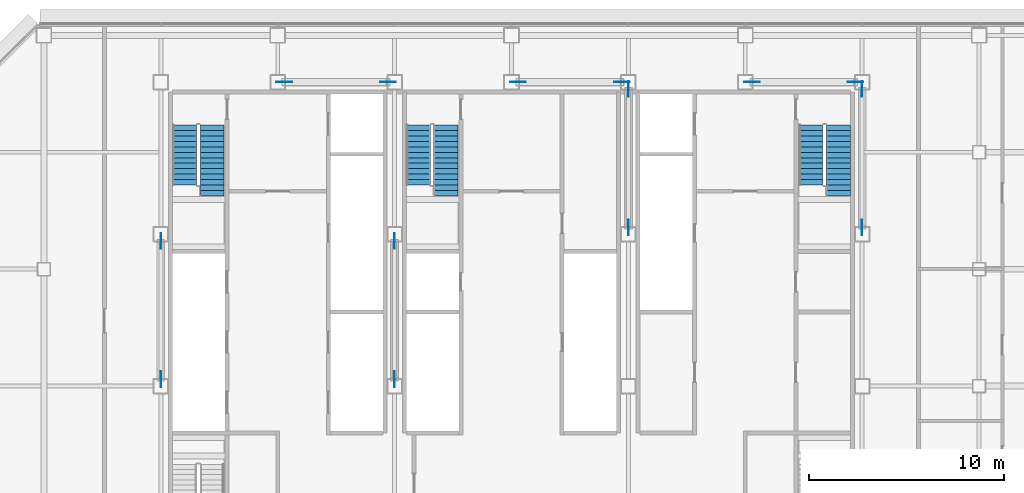
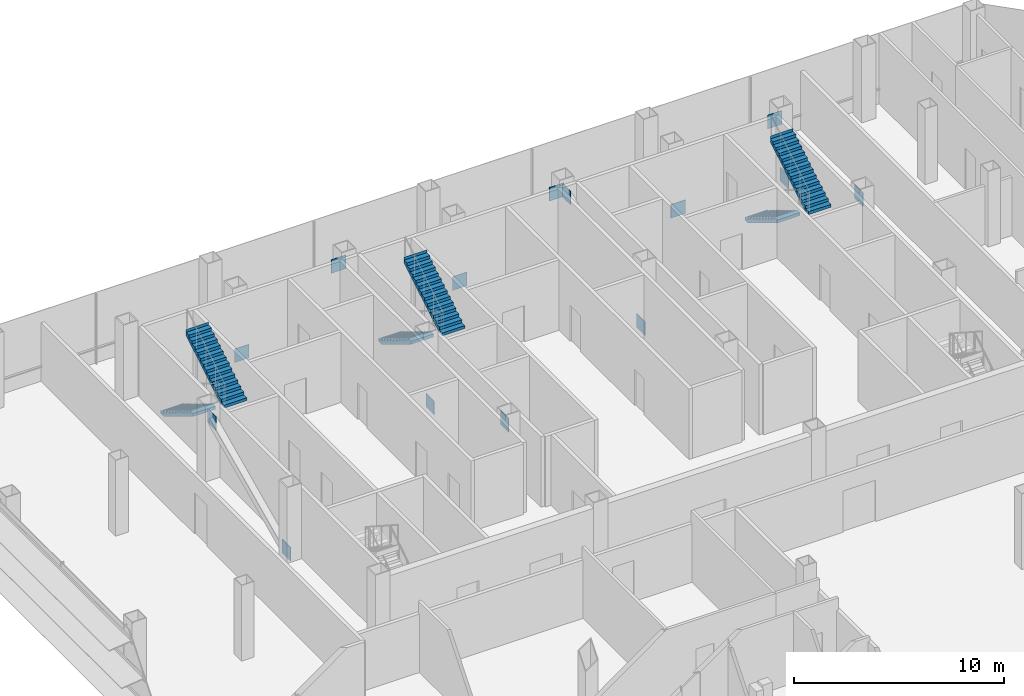
# One storey, part 23 of 28: 14 discrete accessories, 6 stair flights, 3 elements without a shape of their own.
"""IFC4 building model written with IfcOpenShell, lengths in metres."""

import ifcopenshell
import ifcopenshell.guid

model = None  # the IFC model being written
_history = None  # IfcOwnerHistory: only IFC2X3 demands one
_inside = {}  # id of a spatial element -> (the spatial element, [elements in it])
_under = {}  # id of a project, library or spatial element -> (it, [spatial elements below it])
_declared = {}  # id of a project -> (the project, [libraries it declares])
_typed = {}  # id of a type object -> (the type object, [elements of that type])
_made_of = {}  # id of a material, layer set ... -> (it, [elements and type objects made of it])


def new_model(schema):
    """Start an empty IFC model of exactly this schema.

    Asked for "IFC4X3", IfcOpenShell would pick the latest addendum, in which some entities
    have other attributes; the version numbers below select the first issue.
    IFC2X3 requires an IfcOwnerHistory on every rooted entity: one is made here for all.
    """
    global model, _history
    if schema == "IFC4X3":
        model = ifcopenshell.file(schema_version=(4, 3, 0, 0))
    else:
        model = ifcopenshell.file(schema=schema)
    _inside.clear()
    _under.clear()
    _declared.clear()
    _typed.clear()
    _made_of.clear()
    _history = None
    if model.schema == "IFC2X3":
        org = make("IfcOrganization", Name="unknown")
        user = make(
            "IfcPersonAndOrganization",
            ThePerson=make("IfcPerson", FamilyName="unknown"),
            TheOrganization=org,
        )
        app = make(
            "IfcApplication",
            ApplicationDeveloper=org,
            Version="unknown",
            ApplicationFullName="unknown",
            ApplicationIdentifier="unknown",
        )
        _history = make(
            "IfcOwnerHistory",
            OwningUser=user,
            OwningApplication=app,
            ChangeAction="ADDED",
            CreationDate=0,
        )
    return model


def make(cls, **values):
    """One entity of the class cls with the attributes given. An attribute that is None is left unset."""
    return model.create_entity(
        cls, **{name: value for name, value in values.items() if value is not None}
    )


def rooted(cls, **values):
    """An entity with a GlobalId (a new one), such as an element, a storey or a relation."""
    return make(cls, GlobalId=ifcopenshell.guid.new(), OwnerHistory=_history, **values)


def si_unit(unit_type, name, prefix=None):
    """IfcSIUnit, for example si_unit("LENGTHUNIT", "METRE", prefix="MILLI")."""
    return make("IfcSIUnit", UnitType=unit_type, Prefix=prefix, Name=name)


def assignment(units):
    """IfcUnitAssignment: the units of a project."""
    return None if units is None else make("IfcUnitAssignment", Units=units)


def point(xyz):
    """IfcCartesianPoint."""
    return None if xyz is None else make("IfcCartesianPoint", Coordinates=xyz)


def direction(xyz):
    """IfcDirection."""
    return None if xyz is None else make("IfcDirection", DirectionRatios=xyz)


def frame(location, z_axis=None, x_axis=None):
    """IfcAxis2Placement3D, a coordinate frame: its origin and axes. An axis left out is left unset."""
    return make(
        "IfcAxis2Placement3D",
        Location=point(location),
        Axis=direction(z_axis),
        RefDirection=direction(x_axis),
    )


def frame_2d(location, x_axis=None):
    """IfcAxis2Placement2D, a coordinate frame in the plane: its origin and x axis."""
    return make(
        "IfcAxis2Placement2D", Location=point(location), RefDirection=direction(x_axis)
    )


def origin():
    """The frame at (0, 0, 0) with its axes left unset."""
    return frame((0.0, 0.0, 0.0))


def origin_2d():
    """The frame at (0, 0) in the plane with its x axis left unset."""
    return frame_2d((0.0, 0.0))


def place(relative_to, where):
    """IfcLocalPlacement: puts the frame where relative to a parent placement (None: the world)."""
    return make(
        "IfcLocalPlacement", PlacementRelTo=relative_to, RelativePlacement=where
    )


def context(
    kind, dimensions, precision=None, world=None, true_north=None, identifier=None
):
    """IfcGeometricRepresentationContext, for example the 3D "Model" context."""
    return make(
        "IfcGeometricRepresentationContext",
        ContextIdentifier=identifier,
        ContextType=kind,
        CoordinateSpaceDimension=dimensions,
        Precision=precision,
        WorldCoordinateSystem=world,
        TrueNorth=true_north,
    )


def subcontext(parent, identifier, kind, view, scale=None):
    """IfcGeometricRepresentationSubContext, for example "Body" below "Model"."""
    return make(
        "IfcGeometricRepresentationSubContext",
        ContextIdentifier=identifier,
        ContextType=kind,
        ParentContext=parent,
        TargetScale=scale,
        TargetView=view,
    )


def project(units=None, contexts=None):
    """IfcProject with its units and contexts."""
    return rooted(
        "IfcProject",
        Name="project",
        RepresentationContexts=contexts,
        UnitsInContext=assignment(units),
    )


def spatial(cls, under=None, at=None, **own):
    """A site, building, storey or space (cls), placed at a placement, below another one or the project."""
    s = rooted(cls, ObjectPlacement=at, **own)
    if under is not None:
        _under.setdefault(under.id(), (under, []))[1].append(s)
    return s


def polyline(points):
    """IfcPolyline through the points."""
    return make("IfcPolyline", Points=[point(p) for p in points])


def profile(cls, at=None, kind="AREA", **sizes):
    """A parametric profile (cls). Its sizes go by their IFC names, for example OverallWidth=200.0."""
    return make(cls, ProfileType=kind, Position=at, **sizes)


def rectangle(**sizes):
    """IfcRectangleProfileDef."""
    return profile("IfcRectangleProfileDef", **sizes)


def outline(outer, holes=None, kind="AREA"):
    """IfcArbitraryClosedProfileDef: a profile drawn as a closed curve; with holes, ...WithVoids."""
    if holes is None:
        return make("IfcArbitraryClosedProfileDef", ProfileType=kind, OuterCurve=outer)
    return make(
        "IfcArbitraryProfileDefWithVoids",
        ProfileType=kind,
        OuterCurve=outer,
        InnerCurves=holes,
    )


def extrude(swept, where, along, depth):
    """IfcExtrudedAreaSolid: the profile swept, set in the frame where, extruded along a direction by depth."""
    return make(
        "IfcExtrudedAreaSolid",
        SweptArea=swept,
        Position=where,
        ExtrudedDirection=direction(along),
        Depth=depth,
    )


def shape(context_of_items, identifier, shape_type, items):
    """IfcShapeRepresentation: the items that make up one representation, for example the "Body"."""
    return make(
        "IfcShapeRepresentation",
        ContextOfItems=context_of_items,
        RepresentationIdentifier=identifier,
        RepresentationType=shape_type,
        Items=items,
    )


def material(Name=None, Category=None):
    """IfcMaterial."""
    return make("IfcMaterial", Name=Name, Category=Category)


def layer(
    of_material, thickness, ventilated=None, Name=None, Category=None, Priority=None
):
    """IfcMaterialLayer: one layer of a wall or slab, of a material (None: an air gap)."""
    return make(
        "IfcMaterialLayer",
        Material=of_material,
        LayerThickness=thickness,
        IsVentilated=ventilated,
        Name=Name,
        Category=Category,
        Priority=Priority,
    )


def layer_set(layers, Name=None):
    """IfcMaterialLayerSet."""
    return make("IfcMaterialLayerSet", MaterialLayers=layers, LayerSetName=Name)


def made_of(thing, what):
    """Note that an element or type object is made of a material, layer set ...; save() writes the relation."""
    if what is not None:
        _made_of.setdefault(what.id(), (what, []))[1].append(thing)
    return thing


def type_object(cls, material=None, **own):
    """A type object (cls), such as IfcWallType, which elements share."""
    return made_of(rooted(cls, **own), material)


def element(
    cls,
    number,
    at=None,
    inside=None,
    cuts=None,
    type_object=None,
    material=None,
    context=None,
    identifier="Body",
    shape_type=None,
    held_by="IfcProductDefinitionShape",
    body=None,
    shapes=None,
    **own,
):
    """One element of the class cls, such as IfcWall. Its Tag is "e" and its number.

    at: its placement. inside: the storey or other place that contains it. cuts: it is an
    opening in that element (IfcRelVoidsElement). A single representation is given by context,
    identifier, shape_type and body (its items); several are given by shapes. held_by: the class
    of the entity that holds the representations. save() writes the other relations.
    """
    e = rooted(cls, Tag="e%d" % number, ObjectPlacement=at, **own)
    if body is not None:
        shapes = [shape(context, identifier, shape_type, body)]
    if shapes is not None:
        e.Representation = make(held_by, Representations=shapes)
    if inside is not None:
        _inside.setdefault(inside.id(), (inside, []))[1].append(e)
    if cuts is not None:
        rooted(
            "IfcRelVoidsElement", RelatingBuildingElement=cuts, RelatedOpeningElement=e
        )
    if type_object is not None:
        _typed.setdefault(type_object.id(), (type_object, []))[1].append(e)
    return made_of(e, material)


def aggregate(whole, parts):
    """IfcRelAggregates: a whole, such as a stair, and the parts it consists of."""
    return rooted("IfcRelAggregates", RelatingObject=whole, RelatedObjects=parts)


def save(model, path):
    """Write the relations noted so far, then the file.

    IfcRelAggregates (storeys below a building ...), IfcRelContainedInSpatialStructure (elements
    in a storey), IfcRelDefinesByType, IfcRelAssociatesMaterial and IfcRelDeclares: one each for
    every whole, place, type object, material and project.
    """
    for whole, parts in _under.values():
        aggregate(whole, parts)
    for where, things in _inside.values():
        rooted(
            "IfcRelContainedInSpatialStructure",
            RelatedElements=things,
            RelatingStructure=where,
        )
    for kind, things in _typed.values():
        rooted("IfcRelDefinesByType", RelatedObjects=things, RelatingType=kind)
    for what, things in _made_of.values():
        rooted("IfcRelAssociatesMaterial", RelatedObjects=things, RelatingMaterial=what)
    for by, libraries in _declared.values():
        rooted("IfcRelDeclares", RelatingContext=by, RelatedDefinitions=libraries)
    model.write(path)


model = new_model("IFC4")

# Units and contexts
model_context = context("Model", 3, precision=1e-05, world=origin(), true_north=direction((0.0, 1.0)))
body_context = subcontext(model_context, "Body", "Model", "MODEL_VIEW")
ifc_project = project(units=[si_unit("LENGTHUNIT", "METRE"), si_unit("AREAUNIT", "SQUARE_METRE"), si_unit("VOLUMEUNIT", "CUBIC_METRE"), si_unit("PLANEANGLEUNIT", "RADIAN"), si_unit("MASSUNIT", "GRAM", prefix="KILO")], contexts=[model_context])

# Site, building, storey
site_placement = place(None, origin())
site = spatial("IfcSite", under=ifc_project, at=site_placement, CompositionType="ELEMENT")
building_placement = place(site_placement, origin())
building = spatial("IfcBuilding", under=site, at=building_placement, Name="Sorahane Residences", CompositionType="ELEMENT")
storey_placement = place(building_placement, frame((0.0, 0.0, 134.0)))
storey = spatial("IfcBuildingStorey", under=building, at=storey_placement, Name="L30", CompositionType="ELEMENT", Elevation=134.0)

# Stair, stair flights
ifc_material_1 = material(Name="Concrete C40", Category="concrete")
stair_type = type_object("IfcStairType", Name="Dog-leg stair 1250 Concrete C40", PredefinedType="HALF_TURN_STAIR", material=ifc_material_1)
stair_1_placement = place(storey_placement, origin())
stair_1 = element("IfcStair", 1, at=stair_1_placement, inside=storey, type_object=stair_type, Name="L30 Stair S1", PredefinedType="HALF_TURN_STAIR")
ifc_material_2 = material(Name="Concrete C40", Category="concrete")
stair_flight_type = type_object("IfcStairFlightType", Name="Stair flight 1250 Concrete C40", PredefinedType="STRAIGHT", material=ifc_material_2)
stair_flight_1_placement = place(storey_placement, frame((7.22509765625, 43.39990234375, 0.0), z_axis=(0.0, 0.0, 1.0), x_axis=(0.0, -1.0, 0.0)))
stair_flight_1 = element("IfcStairFlight", 2, at=stair_flight_1_placement, type_object=stair_flight_type, Name="S1 flight 1", NumberOfRisers=12, NumberOfTreads=11, PredefinedType="STRAIGHT", RiserHeight=0.169230769, TreadLength=0.28, context=body_context, shape_type="SweptSolid", body=[
    extrude(outline(polyline([(-0.00146484375, 0.0), (-0.00146484375, 0.169189453125), (0.0, 0.169189453125), (0.280029296875, 0.169189453125), (0.280029296875, 0.33837890625), (0.56005859375, 0.33837890625), (0.56005859375, 0.5078125), (0.840087890625, 0.5078125), (0.840087890625, 0.677001953125), (1.1201171875, 0.677001953125), (1.1201171875, 0.84619140625), (1.39990234375, 0.84619140625), (1.39990234375, 1.015380859375), (1.679931640625, 1.015380859375), (1.679931640625, 1.1845703125), (1.9599609375, 1.1845703125), (1.9599609375, 1.353759765625), (2.239990234375, 1.353759765625), (2.239990234375, 1.523193359375), (2.52001953125, 1.523193359375), (2.52001953125, 1.6923828125), (2.800048828125, 1.6923828125), (2.800048828125, 1.861572265625), (3.080078125, 1.861572265625), (3.080078125, 2.03076171875), (3.080078125, 1.686279296875), (2.865478515625, 1.556640625), (2.650634765625, 1.427001953125), (2.43603515625, 1.297119140625), (2.221435546875, 1.16748046875), (2.0068359375, 1.037841796875), (1.792236328125, 0.907958984375), (1.57763671875, 0.7783203125), (1.363037109375, 0.648681640625), (1.1484375, 0.518798828125), (0.93359375, 0.38916015625), (0.718994140625, 0.259521484375), (0.50439453125, 0.129638671875), (0.289794921875, 0.0), (-0.00146484375, 0.0)])), frame((0.0, 0.625, 0.0), z_axis=(0.0, -1.0, 0.0), x_axis=(1.0, 0.0, 0.0)), (0.0, 0.0, 1.0), 1.25),
])
stair_flight_2_placement = place(storey_placement, frame((8.625, 39.760009765625, 2.03076171875), z_axis=(0.0, 0.0, 1.0), x_axis=(0.0, 1.0, 0.0)))
stair_flight_2 = element("IfcStairFlight", 3, at=stair_flight_2_placement, type_object=stair_flight_type, Name="S1 flight 2", NumberOfRisers=14, NumberOfTreads=13, PredefinedType="STRAIGHT", RiserHeight=0.169230769, TreadLength=0.28, context=body_context, shape_type="SweptSolid", body=[
    extrude(outline(polyline([(-0.00146484375, 0.0), (-0.00146484375, 0.169189453125), (0.0, 0.169189453125), (0.280029296875, 0.169189453125), (0.280029296875, 0.33837890625), (0.56005859375, 0.33837890625), (0.56005859375, 0.5078125), (0.840087890625, 0.5078125), (0.840087890625, 0.677001953125), (1.1201171875, 0.677001953125), (1.1201171875, 0.84619140625), (1.39990234375, 0.84619140625), (1.39990234375, 1.015380859375), (1.679931640625, 1.015380859375), (1.679931640625, 1.1845703125), (1.9599609375, 1.1845703125), (1.9599609375, 1.353759765625), (2.239990234375, 1.353759765625), (2.239990234375, 1.523193359375), (2.52001953125, 1.523193359375), (2.52001953125, 1.6923828125), (2.800048828125, 1.6923828125), (2.800048828125, 1.861572265625), (3.080078125, 1.861572265625), (3.080078125, 2.03076171875), (3.360107421875, 2.03076171875), (3.360107421875, 2.199951171875), (3.639892578125, 2.199951171875), (3.639892578125, 2.369140625), (3.6416015625, 2.369140625), (3.6416015625, 2.02490234375), (3.41796875, 1.889892578125), (3.194580078125, 1.7548828125), (2.97119140625, 1.619873046875), (2.747802734375, 1.48486328125), (2.524169921875, 1.349853515625), (2.30078125, 1.21484375), (2.077392578125, 1.079833984375), (1.85400390625, 0.94482421875), (1.63037109375, 0.81005859375), (1.406982421875, 0.675048828125), (1.18359375, 0.5400390625), (0.960205078125, 0.405029296875), (0.73681640625, 0.27001953125), (0.51318359375, 0.135009765625), (0.289794921875, 0.0), (-0.00146484375, 0.0)])), frame((0.0, 0.625, 0.0), z_axis=(0.0, -1.0, 0.0), x_axis=(1.0, 0.0, 0.0)), (0.0, 0.0, 1.0), 1.25),
])
aggregate(stair_1, [stair_flight_1, stair_flight_2])

stair_2_placement = place(storey_placement, origin())
stair_2 = element("IfcStair", 4, at=stair_2_placement, inside=storey, type_object=stair_type, Name="L30 Stair S2", PredefinedType="HALF_TURN_STAIR")
stair_flight_3_placement = place(storey_placement, frame((39.375, 43.39990234375, 0.0), z_axis=(0.0, 0.0, 1.0), x_axis=(0.0, -1.0, 0.0)))
stair_flight_3 = element("IfcStairFlight", 5, at=stair_flight_3_placement, type_object=stair_flight_type, Name="S2 flight 1", NumberOfRisers=12, NumberOfTreads=11, PredefinedType="STRAIGHT", RiserHeight=0.169230769, TreadLength=0.28, context=body_context, shape_type="SweptSolid", body=[
    extrude(outline(polyline([(-0.00146484375, 0.0), (-0.00146484375, 0.169189453125), (0.0, 0.169189453125), (0.280029296875, 0.169189453125), (0.280029296875, 0.33837890625), (0.56005859375, 0.33837890625), (0.56005859375, 0.5078125), (0.840087890625, 0.5078125), (0.840087890625, 0.677001953125), (1.1201171875, 0.677001953125), (1.1201171875, 0.84619140625), (1.39990234375, 0.84619140625), (1.39990234375, 1.015380859375), (1.679931640625, 1.015380859375), (1.679931640625, 1.1845703125), (1.9599609375, 1.1845703125), (1.9599609375, 1.353759765625), (2.239990234375, 1.353759765625), (2.239990234375, 1.523193359375), (2.52001953125, 1.523193359375), (2.52001953125, 1.6923828125), (2.800048828125, 1.6923828125), (2.800048828125, 1.861572265625), (3.080078125, 1.861572265625), (3.080078125, 2.03076171875), (3.080078125, 1.686279296875), (2.865478515625, 1.556640625), (2.650634765625, 1.427001953125), (2.43603515625, 1.297119140625), (2.221435546875, 1.16748046875), (2.0068359375, 1.037841796875), (1.792236328125, 0.907958984375), (1.57763671875, 0.7783203125), (1.363037109375, 0.648681640625), (1.1484375, 0.518798828125), (0.93359375, 0.38916015625), (0.718994140625, 0.259521484375), (0.50439453125, 0.129638671875), (0.289794921875, 0.0), (-0.00146484375, 0.0)])), frame((0.0, 0.625, 0.0), z_axis=(0.0, -1.0, 0.0), x_axis=(1.0, 0.0, 0.0)), (0.0, 0.0, 1.0), 1.25),
])
stair_flight_4_placement = place(storey_placement, frame((40.77490234375, 39.760009765625, 2.03076171875), z_axis=(0.0, 0.0, 1.0), x_axis=(0.0, 1.0, 0.0)))
stair_flight_4 = element("IfcStairFlight", 6, at=stair_flight_4_placement, type_object=stair_flight_type, Name="S2 flight 2", NumberOfRisers=14, NumberOfTreads=13, PredefinedType="STRAIGHT", RiserHeight=0.169230769, TreadLength=0.28, context=body_context, shape_type="SweptSolid", body=[
    extrude(outline(polyline([(-0.00146484375, 0.0), (-0.00146484375, 0.169189453125), (0.0, 0.169189453125), (0.280029296875, 0.169189453125), (0.280029296875, 0.33837890625), (0.56005859375, 0.33837890625), (0.56005859375, 0.5078125), (0.840087890625, 0.5078125), (0.840087890625, 0.677001953125), (1.1201171875, 0.677001953125), (1.1201171875, 0.84619140625), (1.39990234375, 0.84619140625), (1.39990234375, 1.015380859375), (1.679931640625, 1.015380859375), (1.679931640625, 1.1845703125), (1.9599609375, 1.1845703125), (1.9599609375, 1.353759765625), (2.239990234375, 1.353759765625), (2.239990234375, 1.523193359375), (2.52001953125, 1.523193359375), (2.52001953125, 1.6923828125), (2.800048828125, 1.6923828125), (2.800048828125, 1.861572265625), (3.080078125, 1.861572265625), (3.080078125, 2.03076171875), (3.360107421875, 2.03076171875), (3.360107421875, 2.199951171875), (3.639892578125, 2.199951171875), (3.639892578125, 2.369140625), (3.6416015625, 2.369140625), (3.6416015625, 2.02490234375), (3.41796875, 1.889892578125), (3.194580078125, 1.7548828125), (2.97119140625, 1.619873046875), (2.747802734375, 1.48486328125), (2.524169921875, 1.349853515625), (2.30078125, 1.21484375), (2.077392578125, 1.079833984375), (1.85400390625, 0.94482421875), (1.63037109375, 0.81005859375), (1.406982421875, 0.675048828125), (1.18359375, 0.5400390625), (0.960205078125, 0.405029296875), (0.73681640625, 0.27001953125), (0.51318359375, 0.135009765625), (0.289794921875, 0.0), (-0.00146484375, 0.0)])), frame((0.0, 0.625, 0.0), z_axis=(0.0, -1.0, 0.0), x_axis=(1.0, 0.0, 0.0)), (0.0, 0.0, 1.0), 1.25),
])
aggregate(stair_2, [stair_flight_3, stair_flight_4])

stair_3_placement = place(storey_placement, origin())
stair_3 = element("IfcStair", 7, at=stair_3_placement, inside=storey, type_object=stair_type, Name="L30 Stair S3", PredefinedType="HALF_TURN_STAIR")
stair_flight_5_placement = place(storey_placement, frame((19.22509765625, 43.39990234375, 0.0), z_axis=(0.0, 0.0, 1.0), x_axis=(0.0, -1.0, 0.0)))
stair_flight_5 = element("IfcStairFlight", 8, at=stair_flight_5_placement, type_object=stair_flight_type, Name="S3 flight 1", NumberOfRisers=12, NumberOfTreads=11, PredefinedType="STRAIGHT", RiserHeight=0.169230769, TreadLength=0.28, context=body_context, shape_type="SweptSolid", body=[
    extrude(outline(polyline([(-0.00146484375, 0.0), (-0.00146484375, 0.169189453125), (0.0, 0.169189453125), (0.280029296875, 0.169189453125), (0.280029296875, 0.33837890625), (0.56005859375, 0.33837890625), (0.56005859375, 0.5078125), (0.840087890625, 0.5078125), (0.840087890625, 0.677001953125), (1.1201171875, 0.677001953125), (1.1201171875, 0.84619140625), (1.39990234375, 0.84619140625), (1.39990234375, 1.015380859375), (1.679931640625, 1.015380859375), (1.679931640625, 1.1845703125), (1.9599609375, 1.1845703125), (1.9599609375, 1.353759765625), (2.239990234375, 1.353759765625), (2.239990234375, 1.523193359375), (2.52001953125, 1.523193359375), (2.52001953125, 1.6923828125), (2.800048828125, 1.6923828125), (2.800048828125, 1.861572265625), (3.080078125, 1.861572265625), (3.080078125, 2.03076171875), (3.080078125, 1.686279296875), (2.865478515625, 1.556640625), (2.650634765625, 1.427001953125), (2.43603515625, 1.297119140625), (2.221435546875, 1.16748046875), (2.0068359375, 1.037841796875), (1.792236328125, 0.907958984375), (1.57763671875, 0.7783203125), (1.363037109375, 0.648681640625), (1.1484375, 0.518798828125), (0.93359375, 0.38916015625), (0.718994140625, 0.259521484375), (0.50439453125, 0.129638671875), (0.289794921875, 0.0), (-0.00146484375, 0.0)])), frame((0.0, 0.625, 0.0), z_axis=(0.0, -1.0, 0.0), x_axis=(1.0, 0.0, 0.0)), (0.0, 0.0, 1.0), 1.25),
])
stair_flight_6_placement = place(storey_placement, frame((20.625, 39.760009765625, 2.03076171875), z_axis=(0.0, 0.0, 1.0), x_axis=(0.0, 1.0, 0.0)))
stair_flight_6 = element("IfcStairFlight", 9, at=stair_flight_6_placement, type_object=stair_flight_type, Name="S3 flight 2", NumberOfRisers=14, NumberOfTreads=13, PredefinedType="STRAIGHT", RiserHeight=0.169230769, TreadLength=0.28, context=body_context, shape_type="SweptSolid", body=[
    extrude(outline(polyline([(-0.00146484375, 0.0), (-0.00146484375, 0.169189453125), (0.0, 0.169189453125), (0.280029296875, 0.169189453125), (0.280029296875, 0.33837890625), (0.56005859375, 0.33837890625), (0.56005859375, 0.5078125), (0.840087890625, 0.5078125), (0.840087890625, 0.677001953125), (1.1201171875, 0.677001953125), (1.1201171875, 0.84619140625), (1.39990234375, 0.84619140625), (1.39990234375, 1.015380859375), (1.679931640625, 1.015380859375), (1.679931640625, 1.1845703125), (1.9599609375, 1.1845703125), (1.9599609375, 1.353759765625), (2.239990234375, 1.353759765625), (2.239990234375, 1.523193359375), (2.52001953125, 1.523193359375), (2.52001953125, 1.6923828125), (2.800048828125, 1.6923828125), (2.800048828125, 1.861572265625), (3.080078125, 1.861572265625), (3.080078125, 2.03076171875), (3.360107421875, 2.03076171875), (3.360107421875, 2.199951171875), (3.639892578125, 2.199951171875), (3.639892578125, 2.369140625), (3.6416015625, 2.369140625), (3.6416015625, 2.02490234375), (3.41796875, 1.889892578125), (3.194580078125, 1.7548828125), (2.97119140625, 1.619873046875), (2.747802734375, 1.48486328125), (2.524169921875, 1.349853515625), (2.30078125, 1.21484375), (2.077392578125, 1.079833984375), (1.85400390625, 0.94482421875), (1.63037109375, 0.81005859375), (1.406982421875, 0.675048828125), (1.18359375, 0.5400390625), (0.960205078125, 0.405029296875), (0.73681640625, 0.27001953125), (0.51318359375, 0.135009765625), (0.289794921875, 0.0), (-0.00146484375, 0.0)])), frame((0.0, 0.625, 0.0), z_axis=(0.0, -1.0, 0.0), x_axis=(1.0, 0.0, 0.0)), (0.0, 0.0, 1.0), 1.25),
])
aggregate(stair_3, [stair_flight_5, stair_flight_6])

# Discrete accessories
ifc_material_3 = material(Name="Steel Q355B", Category="steel")
ifc_layer = layer(ifc_material_3, 0.02490234375)
ifc_layer_set = layer_set([ifc_layer], Name="Node plate Steel Q355B 25")
discrete_accessory_type = type_object("IfcDiscreteAccessoryType", Name="Node plate Steel Q355B 25", PredefinedType="BRACKET", material=ifc_layer_set)
for number, where, z_axis, x_axis, name in (
    (10, (6.0, 30.349609375, -0.2236328125), (0.0, 0.0, 1.0), (0.0, 1.0, 0.0), "Node plate L30 br"),
    (11, (6.0, 37.450439453125, 3.0732421875), (0.0, 0.0, 1.0), (0.0, 1.0, 0.0), "Node plate L30 br"),
    (12, (18.0, 37.450439453125, -0.2236328125), (0.0, 0.0, 1.0), (0.0, 1.0, 0.0), "Node plate L30 br"),
    (13, (18.0, 30.349609375, 3.0732421875), (0.0, 0.0, 1.0), (0.0, 1.0, 0.0), "Node plate L30 br"),
    (14, (30.0, 38.1494140625, -0.2236328125), (0.0, 0.0, 1.0), (0.0, 1.0, 0.0), "Node plate L30 br"),
    (15, (30.0, 45.25048828125, 3.0732421875), (0.0, 0.0, 1.0), (0.0, 1.0, 0.0), "Node plate L30 br"),
    (16, (42.0, 45.25048828125, -0.2236328125), (0.0, 0.0, 1.0), (0.0, 1.0, 0.0), "Node plate L30 br"),
    (17, (42.0, 38.1494140625, 3.0732421875), (0.0, 0.0, 1.0), (0.0, 1.0, 0.0), "Node plate L30 br"),
    (18, (12.33642578125, 45.60009765625, -0.23974609375), (0.0, 0.0, 1.0), (1.0, 0.0, 0.0), "Node plate L30 br"),
    (19, (24.33642578125, 45.60009765625, -0.23974609375), (0.0, 0.0, 1.0), (1.0, 0.0, 0.0), "Node plate L30 br"),
    (20, (36.33642578125, 45.60009765625, -0.23974609375), (0.0, 0.0, 1.0), (1.0, 0.0, 0.0), "Node plate L30 br"),
    (21, (17.66357421875, 45.60009765625, 3.08984375), (0.0, 0.0, 1.0), (1.0, 0.0, 0.0), "Node plate L30 br"),
    (22, (29.66357421875, 45.60009765625, 3.08984375), (0.0, 0.0, 1.0), (1.0, 0.0, 0.0), "Node plate L30 br"),
    (23, (41.66357421875, 45.60009765625, 3.08984375), (0.0, 0.0, 1.0), (1.0, 0.0, 0.0), "Node plate L30 br"),
):
    element("IfcDiscreteAccessory", number, at=place(storey_placement, frame(where, z_axis=z_axis, x_axis=x_axis)), inside=storey, type_object=discrete_accessory_type, Name=name, PredefinedType="BRACKET", context=body_context, shape_type="SweptSolid", body=[
        extrude(rectangle(XDim=0.800048828125, YDim=0.02490234375, at=origin_2d()), origin(), (0.0, 0.0, 1.0), 0.800048828125),
    ])

save(model, "model.ifc")
